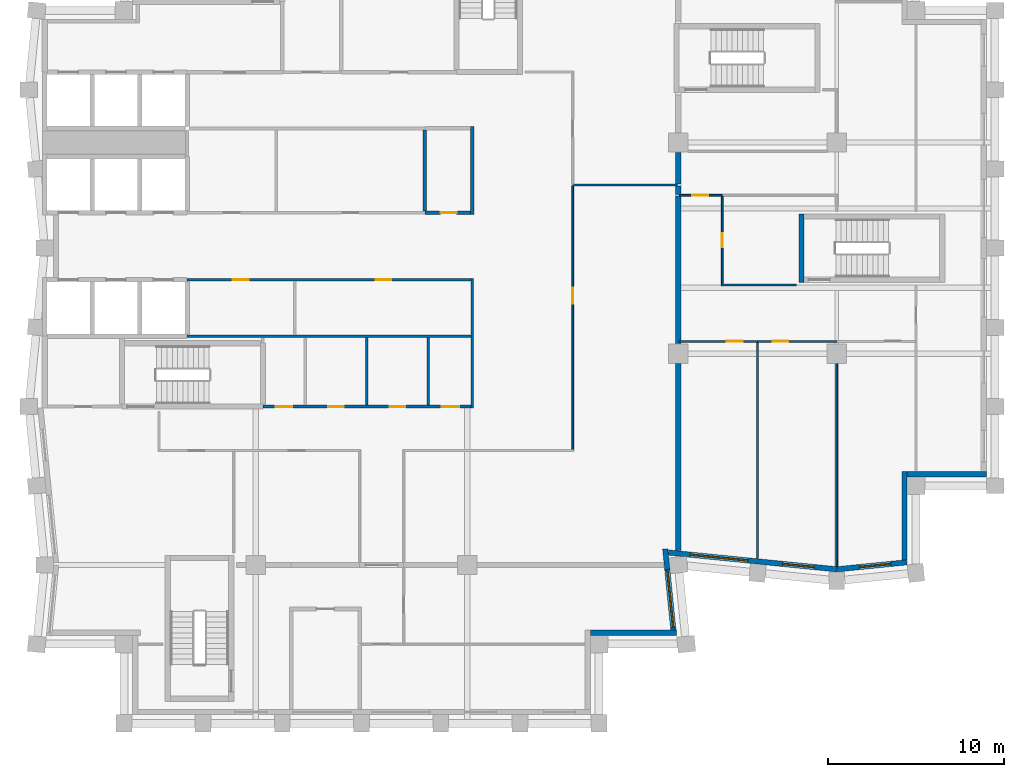
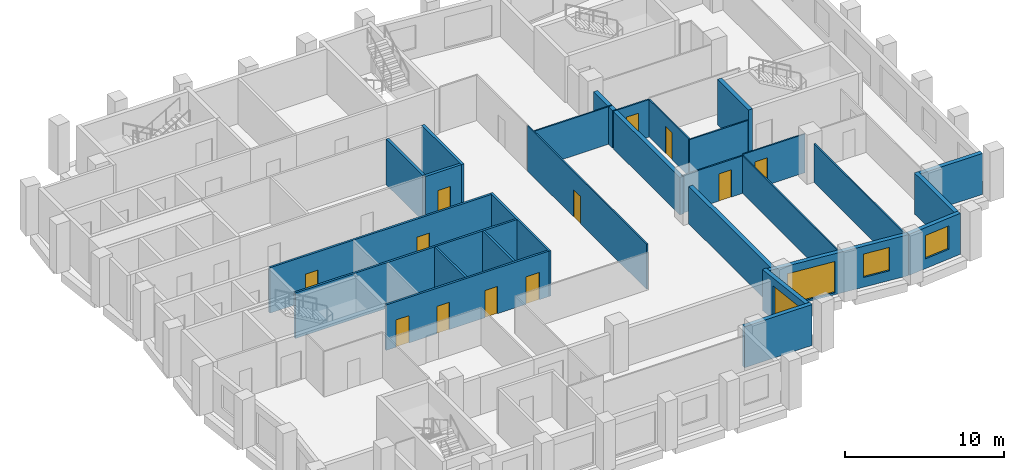
# One storey, part 4 of 8: 29 walls, 12 doors, 4 windows, 16 openings.
"""IFC4 building model written with IfcOpenShell, lengths in metres."""

from ifc_helpers import new_model, si_unit, direction, frame, frame_2d, origin, place, context, subcontext, project, spatial, rectangle, extrude, material, layer, layer_set, type_object, element, fill, save


model = new_model("IFC4")

# Units and contexts
model_context = context("Model", 3, precision=1e-05, world=origin(), true_north=direction((0.0, 1.0)))
body_context = subcontext(model_context, "Body", "Model", "MODEL_VIEW")
ifc_project = project(units=[si_unit("LENGTHUNIT", "METRE"), si_unit("AREAUNIT", "SQUARE_METRE"), si_unit("VOLUMEUNIT", "CUBIC_METRE"), si_unit("PLANEANGLEUNIT", "RADIAN"), si_unit("MASSUNIT", "GRAM", prefix="KILO")], contexts=[model_context])

# Site, building, storey
site_placement = place(None, origin())
site = spatial("IfcSite", under=ifc_project, at=site_placement, CompositionType="ELEMENT")
building_placement = place(site_placement, origin())
building = spatial("IfcBuilding", under=site, at=building_placement, Name="Brondeck Convention Tower", CompositionType="ELEMENT")
storey_placement = place(building_placement, frame((0.0, 0.0, 229.199951171875)))
storey = spatial("IfcBuildingStorey", under=building, at=storey_placement, Name="L56", CompositionType="ELEMENT", Elevation=229.199951171875)

# Walls
ifc_material_1 = material(Name="Concrete compartment wall C30/37", Category="concrete")
ifc_layer_1 = layer(ifc_material_1, 0.300048828125)
ifc_layer_set_1 = layer_set([ifc_layer_1], Name="Compartment wall 300")
wall_type_1 = type_object("IfcWallType", Name="Compartment wall 300", PredefinedType="PARTITIONING", material=ifc_layer_set_1)
wall_1_placement = place(storey_placement, frame((36.0, 27.823974609375, 0.0), z_axis=(0.0, 0.0, 1.0), x_axis=(0.0, 1.0, 0.0)))
element("IfcWall", 1, at=wall_1_placement, inside=storey, type_object=wall_type_1, Name="FLR-L56-W021", PredefinedType="PARTITIONING", context=body_context, shape_type="SweptSolid", body=[
    extrude(rectangle(XDim=10.62109375, YDim=0.300048828125, at=frame_2d((5.310546875, 0.0))), origin(), (0.0, 0.0, 1.0), 2.880126953125),
])
wall_2_placement = place(storey_placement, frame((36.0, 39.570068359375, 0.0), z_axis=(0.0, 0.0, 1.0), x_axis=(0.0, 1.0, 0.0)))
element("IfcWall", 2, at=wall_2_placement, inside=storey, type_object=wall_type_1, Name="FLR-L56-W035", PredefinedType="PARTITIONING", context=body_context, shape_type="SweptSolid", body=[
    extrude(rectangle(XDim=8.3798828125, YDim=0.300048828125, at=frame_2d((4.18994140625, 0.0))), origin(), (0.0, 0.0, 1.0), 2.880126953125),
])
wall_3_placement = place(storey_placement, frame((36.0, 48.050048828125, 0.0), z_axis=(0.0, 0.0, 1.0), x_axis=(0.0, 1.0, 0.0)))
element("IfcWall", 3, at=wall_3_placement, inside=storey, type_object=wall_type_1, Name="FLR-L56-W043", PredefinedType="PARTITIONING", context=body_context, shape_type="SweptSolid", body=[
    extrude(rectangle(XDim=0.488037109375, YDim=0.300048828125, at=frame_2d((0.244140625, 0.0))), origin(), (0.0, 0.0, 1.0), 2.880126953125),
])
wall_4_placement = place(storey_placement, frame((36.0, 48.637939453125, 0.0), z_axis=(0.0, 0.0, 1.0), x_axis=(0.0, 1.0, 0.0)))
element("IfcWall", 4, at=wall_4_placement, inside=storey, type_object=wall_type_1, Name="FLR-L56-W046", PredefinedType="PARTITIONING", context=body_context, shape_type="SweptSolid", body=[
    extrude(rectangle(XDim=1.80712890625, YDim=0.300048828125, at=frame_2d((0.903564453125, 0.0))), origin(), (0.0, 0.0, 1.0), 2.880126953125),
])

# Wall, openings, doors
ifc_material_2 = material(Name="Concrete C50/60", Category="concrete")
ifc_layer_2 = layer(ifc_material_2, 0.14990234375)
ifc_layer_set_2 = layer_set([ifc_layer_2], Name="Core beam-seat wall 150 Concrete C50/60")
wall_type_2 = type_object("IfcWallType", Name="Core beam-seat wall 150 Concrete C50/60", PredefinedType="SHEAR", material=ifc_layer_set_2)
wall_5_placement = place(storey_placement, frame((12.39990234375, 36.0, 0.0), z_axis=(0.0, 0.0, 1.0), x_axis=(1.0, 0.0, 0.0)))
wall_5 = element("IfcWall", 5, at=wall_5_placement, inside=storey, type_object=wall_type_2, Name="L56 core wall", PredefinedType="SHEAR", context=body_context, shape_type="SweptSolid", body=[
    extrude(rectangle(XDim=11.8251953125, YDim=0.14990234375, at=frame_2d((5.91259765625, 0.0))), origin(), (0.0, 0.0, 1.0), 3.5),
])
opening_1_placement = place(wall_5_placement, frame((0.72509765625, 0.0, 0.0)))
opening_1 = element("IfcOpeningElement", 6, at=opening_1_placement, cuts=wall_5, Name="Opening C30-03", PredefinedType="OPENING", context=body_context, shape_type="SweptSolid", body=[
    extrude(rectangle(XDim=0.949951171875, YDim=2.10009765625, at=frame_2d((0.47509765625, 1.050048828125))), frame((0.0, 0.0849609375, 0.0), z_axis=(0.0, -1.0, 0.0), x_axis=(1.0, 0.0, 0.0)), (0.0, 0.0, 1.0), 0.169921875),
])
opening_2_placement = place(wall_5_placement, frame((3.699951171875, 0.0, 0.0)))
opening_2 = element("IfcOpeningElement", 7, at=opening_2_placement, cuts=wall_5, Name="Opening C30-04", PredefinedType="OPENING", context=body_context, shape_type="SweptSolid", body=[
    extrude(rectangle(XDim=0.89990234375, YDim=2.10009765625, at=frame_2d((0.449951171875, 1.050048828125))), frame((0.0, 0.0849609375, 0.0), z_axis=(0.0, -1.0, 0.0), x_axis=(1.0, 0.0, 0.0)), (0.0, 0.0, 1.0), 0.169921875),
])
opening_3_placement = place(wall_5_placement, frame((7.199951171875, 0.0, 0.0)))
opening_3 = element("IfcOpeningElement", 8, at=opening_3_placement, cuts=wall_5, Name="Opening C30-05", PredefinedType="OPENING", context=body_context, shape_type="SweptSolid", body=[
    extrude(rectangle(XDim=0.89990234375, YDim=2.10009765625, at=frame_2d((0.449951171875, 1.050048828125))), frame((0.0, 0.0849609375, 0.0), z_axis=(0.0, -1.0, 0.0), x_axis=(1.0, 0.0, 0.0)), (0.0, 0.0, 1.0), 0.169921875),
])
opening_4_placement = place(wall_5_placement, frame((10.14990234375, 0.0, 0.0)))
opening_4 = element("IfcOpeningElement", 9, at=opening_4_placement, cuts=wall_5, Name="Opening C30-06", PredefinedType="OPENING", context=body_context, shape_type="SweptSolid", body=[
    extrude(rectangle(XDim=1.0, YDim=2.10009765625, at=frame_2d((0.5, 1.050048828125))), frame((0.0, 0.0849609375, 0.0), z_axis=(0.0, -1.0, 0.0), x_axis=(1.0, 0.0, 0.0)), (0.0, 0.0, 1.0), 0.169921875),
])
ifc_material_3 = material(Name="Steel fire door", Category="steel")
door_type_1 = type_object("IfcDoorType", Name="Room door 1000x2100 EI 60", OperationType="NOTDEFINED", PredefinedType="DOOR", material=ifc_material_3)
door_1_placement = place(opening_4_placement, origin())
door_1 = element("IfcDoor", 10, at=door_1_placement, inside=storey, type_object=door_type_1, Name="L56 Room door FR-4", OperationType="SINGLE_SWING_LEFT", OverallHeight=2.10009765625, OverallWidth=1.0, PredefinedType="DOOR", context=body_context, shape_type="SweptSolid", body=[
    extrude(rectangle(XDim=1.0, YDim=2.10009765625, at=frame_2d((0.5, 1.050048828125))), frame((0.0, 0.02490234375, 0.0), z_axis=(0.0, -1.0, 0.0), x_axis=(1.0, 0.0, 0.0)), (0.0, 0.0, 1.0), 0.050048828125),
])
fill(opening_4, door_1)
door_type_2 = type_object("IfcDoorType", Name="Room door 900x2100 EI 60", OperationType="NOTDEFINED", PredefinedType="DOOR", material=ifc_material_3)
door_2_placement = place(opening_2_placement, origin())
door_2 = element("IfcDoor", 11, at=door_2_placement, inside=storey, type_object=door_type_2, Name="L56 Room door FR-2", OperationType="SINGLE_SWING_LEFT", OverallHeight=2.10009765625, OverallWidth=0.89990234375, PredefinedType="DOOR", context=body_context, shape_type="SweptSolid", body=[
    extrude(rectangle(XDim=0.89990234375, YDim=2.10009765625, at=frame_2d((0.449951171875, 1.050048828125))), frame((0.0, 0.02490234375, 0.0), z_axis=(0.0, -1.0, 0.0), x_axis=(1.0, 0.0, 0.0)), (0.0, 0.0, 1.0), 0.050048828125),
])
fill(opening_2, door_2)
door_3_placement = place(opening_3_placement, origin())
door_3 = element("IfcDoor", 12, at=door_3_placement, inside=storey, type_object=door_type_2, Name="L56 Room door FR-3", OperationType="SINGLE_SWING_RIGHT", OverallHeight=2.10009765625, OverallWidth=0.89990234375, PredefinedType="DOOR", context=body_context, shape_type="SweptSolid", body=[
    extrude(rectangle(XDim=0.89990234375, YDim=2.10009765625, at=frame_2d((0.449951171875, 1.050048828125))), frame((0.0, 0.02490234375, 0.0), z_axis=(0.0, -1.0, 0.0), x_axis=(1.0, 0.0, 0.0)), (0.0, 0.0, 1.0), 0.050048828125),
])
fill(opening_3, door_3)
door_type_3 = type_object("IfcDoorType", Name="Room door 950x2100 EI 60", OperationType="NOTDEFINED", PredefinedType="DOOR", material=ifc_material_3)
door_4_placement = place(opening_1_placement, origin())
door_4 = element("IfcDoor", 13, at=door_4_placement, inside=storey, type_object=door_type_3, Name="L56 Room door FR-1", OperationType="SINGLE_SWING_RIGHT", OverallHeight=2.10009765625, OverallWidth=0.949951171875, PredefinedType="DOOR", context=body_context, shape_type="SweptSolid", body=[
    extrude(rectangle(XDim=0.949951171875, YDim=2.10009765625, at=frame_2d((0.47509765625, 1.050048828125))), frame((0.0, 0.02490234375, 0.0), z_axis=(0.0, -1.0, 0.0), x_axis=(1.0, 0.0, 0.0)), (0.0, 0.0, 1.0), 0.050048828125),
])
fill(opening_1, door_4)

# Walls
ifc_layer_3 = layer(ifc_material_2, 0.199951171875)
ifc_layer_set_3 = layer_set([ifc_layer_3], Name="Core beam-seat wall 200 Concrete C50/60")
wall_type_3 = type_object("IfcWallType", Name="Core beam-seat wall 200 Concrete C50/60", PredefinedType="SHEAR", material=ifc_layer_set_3)
wall_6_placement = place(storey_placement, frame((24.300048828125, 46.89990234375, 0.0), z_axis=(0.0, 0.0, 1.0), x_axis=(0.0, 1.0, 0.0)))
element("IfcWall", 14, at=wall_6_placement, inside=storey, type_object=wall_type_3, Name="L56 core wall", PredefinedType="SHEAR", context=body_context, shape_type="SweptSolid", body=[
    extrude(rectangle(XDim=5.0, YDim=0.199951171875, at=frame_2d((2.5, 0.0))), origin(), (0.0, 0.0, 1.0), 3.5),
])
ifc_material_4 = material(Name="Fire-rated gypsum board partition")
ifc_layer_4 = layer(ifc_material_4, 0.14990234375)
ifc_layer_set_4 = layer_set([ifc_layer_4], Name="Core partition 150 EI 60")
wall_type_4 = type_object("IfcWallType", Name="Core partition 150 EI 60", PredefinedType="PARTITIONING", material=ifc_layer_set_4)
wall_7_placement = place(storey_placement, frame((8.10009765625, 40.0, 0.0), z_axis=(0.0, 0.0, 1.0), x_axis=(1.0, 0.0, 0.0)))
element("IfcWall", 15, at=wall_7_placement, inside=storey, type_object=wall_type_4, Name="L56 core wall", PredefinedType="PARTITIONING", context=body_context, shape_type="SweptSolid", body=[
    extrude(rectangle(XDim=16.125, YDim=0.14990234375, at=frame_2d((8.0625, 0.0))), origin(), (0.0, 0.0, 1.0), 3.5),
])

# Wall, openings, doors
wall_8_placement = place(storey_placement, frame((8.10009765625, 43.199951171875, 0.0), z_axis=(0.0, 0.0, 1.0), x_axis=(1.0, 0.0, 0.0)))
wall_8 = element("IfcWall", 16, at=wall_8_placement, inside=storey, type_object=wall_type_4, Name="L56 core wall", PredefinedType="PARTITIONING", context=body_context, shape_type="SweptSolid", body=[
    extrude(rectangle(XDim=16.125, YDim=0.14990234375, at=frame_2d((8.0625, 0.0))), origin(), (0.0, 0.0, 1.0), 3.5),
])
opening_5_placement = place(wall_8_placement, frame((2.60009765625, 0.0, 0.0)))
opening_5 = element("IfcOpeningElement", 17, at=opening_5_placement, cuts=wall_8, Name="Opening C30-10", PredefinedType="OPENING", context=body_context, shape_type="SweptSolid", body=[
    extrude(rectangle(XDim=0.89990234375, YDim=2.10009765625, at=frame_2d((0.449951171875, 1.050048828125))), frame((0.0, 0.0849609375, 0.0), z_axis=(0.0, -1.0, 0.0), x_axis=(1.0, 0.0, 0.0)), (0.0, 0.0, 1.0), 0.169921875),
])
opening_6_placement = place(wall_8_placement, frame((10.699951171875, 0.0, 0.0)))
opening_6 = element("IfcOpeningElement", 18, at=opening_6_placement, cuts=wall_8, Name="Opening C30-11", PredefinedType="OPENING", context=body_context, shape_type="SweptSolid", body=[
    extrude(rectangle(XDim=0.89990234375, YDim=2.10009765625, at=frame_2d((0.449951171875, 1.050048828125))), frame((0.0, 0.0849609375, 0.0), z_axis=(0.0, -1.0, 0.0), x_axis=(1.0, 0.0, 0.0)), (0.0, 0.0, 1.0), 0.169921875),
])
door_5_placement = place(opening_5_placement, origin())
door_5 = element("IfcDoor", 19, at=door_5_placement, inside=storey, type_object=door_type_2, Name="L56 Room door FZ-S-8.1-1", OperationType="SINGLE_SWING_RIGHT", OverallHeight=2.10009765625, OverallWidth=0.89990234375, PredefinedType="DOOR", context=body_context, shape_type="SweptSolid", body=[
    extrude(rectangle(XDim=0.89990234375, YDim=2.10009765625, at=frame_2d((0.449951171875, 1.050048828125))), frame((0.0, 0.02490234375, 0.0), z_axis=(0.0, -1.0, 0.0), x_axis=(1.0, 0.0, 0.0)), (0.0, 0.0, 1.0), 0.050048828125),
])
fill(opening_5, door_5)
door_6_placement = place(opening_6_placement, origin())
door_6 = element("IfcDoor", 20, at=door_6_placement, inside=storey, type_object=door_type_2, Name="L56 Room door FZ-S-8.1-2", OperationType="SINGLE_SWING_LEFT", OverallHeight=2.10009765625, OverallWidth=0.89990234375, PredefinedType="DOOR", context=body_context, shape_type="SweptSolid", body=[
    extrude(rectangle(XDim=0.89990234375, YDim=2.10009765625, at=frame_2d((0.449951171875, 1.050048828125))), frame((0.0, 0.02490234375, 0.0), z_axis=(0.0, -1.0, 0.0), x_axis=(1.0, 0.0, 0.0)), (0.0, 0.0, 1.0), 0.050048828125),
])
fill(opening_6, door_6)

# Walls
for number, where, z_axis, x_axis, name in (
    (21, (18.300048828125, 36.074951171875, 0.0), (0.0, 0.0, 1.0), (0.0, 1.0, 0.0), "L56 core wall"),
    (22, (21.800048828125, 36.074951171875, 0.0), (0.0, 0.0, 1.0), (0.0, 1.0, 0.0), "L56 core wall"),
):
    element("IfcWall", number, at=place(storey_placement, frame(where, z_axis=z_axis, x_axis=x_axis)), inside=storey, type_object=wall_type_4, Name=name, PredefinedType="PARTITIONING", context=body_context, shape_type="SweptSolid", body=[
        extrude(rectangle(XDim=3.85009765625, YDim=0.14990234375, at=frame_2d((1.925048828125, 0.0))), origin(), (0.0, 0.0, 1.0), 3.5),
    ])
wall_9_placement = place(storey_placement, frame((24.300048828125, 35.925048828125, 0.0), z_axis=(0.0, 0.0, 1.0), x_axis=(0.0, 1.0, 0.0)))
element("IfcWall", 23, at=wall_9_placement, inside=storey, type_object=wall_type_4, Name="L56 core wall", PredefinedType="PARTITIONING", context=body_context, shape_type="SweptSolid", body=[
    extrude(rectangle(XDim=7.349853515625, YDim=0.14990234375, at=frame_2d((3.6748046875, 0.0))), origin(), (0.0, 0.0, 1.0), 3.5),
])
ifc_material_5 = material(Name="Precast concrete C50/60 bronze finish", Category="concrete")
ifc_layer_5 = layer(ifc_material_5, 0.070068359375, Name="Bronze precast facing")
ifc_material_6 = material(Name="Mineral wool")
ifc_layer_6 = layer(ifc_material_6, 0.159912109375, Name="Insulation")
ifc_material_7 = material(Name="Concrete C35/45", Category="concrete")
ifc_layer_7 = layer(ifc_material_7, 0.070068359375, Name="Backing")
ifc_layer_set_5 = layer_set([ifc_layer_5, ifc_layer_6, ifc_layer_7], Name="External infill wall, precast concrete C50/60 bronze facing")
wall_type_5 = type_object("IfcWallType", Name="External infill wall, precast concrete C50/60 bronze facing", PredefinedType="SOLIDWALL", material=ifc_layer_set_5)
wall_10_placement = place(storey_placement, frame((35.8974609375, 23.14990234375, 0.0), z_axis=(0.0, 0.0, 1.0), x_axis=(-1.0, 0.0, 0.0)))
element("IfcWall", 24, at=wall_10_placement, inside=storey, type_object=wall_type_5, Name="ENV-EW-L56-P2-NC-SEB18-02", PredefinedType="SOLIDWALL", context=body_context, shape_type="SweptSolid", body=[
    extrude(rectangle(XDim=4.8974609375, YDim=0.300048828125, at=frame_2d((2.44873046875, 0.0))), origin(), (0.0, 0.0, 1.0), 3.150146484375),
])

# Wall, opening, window
wall_11_placement = place(storey_placement, frame((35.255859375, 27.908203125, 0.0), z_axis=(0.0, 0.0, 1.0), x_axis=(0.099535070904, -0.995034054523, 0.0)))
wall_11 = element("IfcWall", 25, at=wall_11_placement, inside=storey, type_object=wall_type_5, Name="ENV-EW-L56-P2-B-E-00", PredefinedType="SOLIDWALL", context=body_context, shape_type="SweptSolid", body=[
    extrude(rectangle(XDim=4.6259765625, YDim=0.300048828125, at=frame_2d((2.31298828125, 0.0))), origin(), (0.0, 0.0, 1.0), 3.150146484375),
])
opening_7_placement = place(wall_11_placement, frame((1.176025390625, 0.0, 0.14990234375)))
opening_7 = element("IfcOpeningElement", 26, at=opening_7_placement, cuts=wall_11, Name="Opening W9", PredefinedType="OPENING", context=body_context, shape_type="SweptSolid", body=[
    extrude(rectangle(XDim=3.300048828125, YDim=2.39990234375, at=frame_2d((1.64990234375, 1.199951171875))), frame((0.0, 0.159912109375, 0.0), z_axis=(0.0, -1.0, 0.0), x_axis=(1.0, 0.0, 0.0)), (0.0, 0.0, 1.0), 0.320068359375),
])
ifc_material_8 = material(Name="Bronze tinted double glazing", Category="glass")
window_type_1 = type_object("IfcWindowType", Name="Glazed flute window, bronze tinted", PartitioningType="SINGLE_PANEL", PredefinedType="WINDOW", material=ifc_material_8)
window_1_placement = place(opening_7_placement, origin())
window_1 = element("IfcWindow", 27, at=window_1_placement, inside=storey, type_object=window_type_1, Name="ENV-WN-L56-P2-B-E-00", OverallHeight=2.39990234375, OverallWidth=3.300048828125, PartitioningType="SINGLE_PANEL", PredefinedType="WINDOW", context=body_context, shape_type="SweptSolid", body=[
    extrude(rectangle(XDim=3.300048828125, YDim=2.39990234375, at=frame_2d((1.64990234375, 1.199951171875))), frame((0.0, 0.030029296875, 0.0), z_axis=(0.0, -1.0, 0.0), x_axis=(1.0, 0.0, 0.0)), (0.0, 0.0, 1.0), 0.06005859375),
])
fill(opening_7, window_1)

# Wall, openings, windows
wall_12_placement = place(storey_placement, frame((45.014892578125, 26.751708984375, 0.0), z_axis=(0.0, 0.0, 1.0), x_axis=(-0.9950379439, 0.099496181828, 0.0)))
wall_12 = element("IfcWall", 28, at=wall_12_placement, inside=storey, type_object=wall_type_5, Name="ENV-EW-L56-P2-A-S-00", PredefinedType="SOLIDWALL", context=body_context, shape_type="SweptSolid", body=[
    extrude(rectangle(XDim=9.621337890625, YDim=0.300048828125, at=frame_2d((4.810546875, 0.0))), origin(), (0.0, 0.0, 1.0), 3.150146484375),
])
opening_8_placement = place(wall_12_placement, frame((1.311279296875, 0.0, 0.75)))
opening_8 = element("IfcOpeningElement", 29, at=opening_8_placement, cuts=wall_12, Name="Opening W10", PredefinedType="OPENING", context=body_context, shape_type="SweptSolid", body=[
    extrude(rectangle(XDim=1.800048828125, YDim=1.800048828125, at=frame_2d((0.89990234375, 0.89990234375))), frame((0.0, 0.159912109375, 0.0), z_axis=(0.0, -1.0, 0.0), x_axis=(1.0, 0.0, 0.0)), (0.0, 0.0, 1.0), 0.320068359375),
])
opening_9_placement = place(wall_12_placement, frame((5.08349609375, 0.0, 0.14990234375)))
opening_9 = element("IfcOpeningElement", 30, at=opening_9_placement, cuts=wall_12, Name="Opening W9", PredefinedType="OPENING", context=body_context, shape_type="SweptSolid", body=[
    extrude(rectangle(XDim=3.300048828125, YDim=2.39990234375, at=frame_2d((1.64990234375, 1.199951171875))), frame((0.0, 0.159912109375, 0.0), z_axis=(0.0, -1.0, 0.0), x_axis=(1.0, 0.0, 0.0)), (0.0, 0.0, 1.0), 0.320068359375),
])
window_2_placement = place(opening_9_placement, origin())
window_2 = element("IfcWindow", 31, at=window_2_placement, inside=storey, type_object=window_type_1, Name="ENV-WN-L56-P2-A-S-00", OverallHeight=2.39990234375, OverallWidth=3.300048828125, PartitioningType="SINGLE_PANEL", PredefinedType="WINDOW", context=body_context, shape_type="SweptSolid", body=[
    extrude(rectangle(XDim=3.300048828125, YDim=2.39990234375, at=frame_2d((1.64990234375, 1.199951171875))), frame((0.0, 0.030029296875, 0.0), z_axis=(0.0, -1.0, 0.0), x_axis=(1.0, 0.0, 0.0)), (0.0, 0.0, 1.0), 0.06005859375),
])
fill(opening_9, window_2)
window_type_2 = type_object("IfcWindowType", Name="Punched window, bronze tinted", PartitioningType="SINGLE_PANEL", PredefinedType="WINDOW", material=ifc_material_8)
window_3_placement = place(opening_8_placement, origin())
window_3 = element("IfcWindow", 32, at=window_3_placement, inside=storey, type_object=window_type_2, Name="ENV-WN-L56-P2-A-S-01", OverallHeight=1.800048828125, OverallWidth=1.800048828125, PartitioningType="SINGLE_PANEL", PredefinedType="WINDOW", context=body_context, shape_type="SweptSolid", body=[
    extrude(rectangle(XDim=1.800048828125, YDim=1.800048828125, at=frame_2d((0.89990234375, 0.89990234375))), frame((0.0, 0.030029296875, 0.0), z_axis=(0.0, -1.0, 0.0), x_axis=(1.0, 0.0, 0.0)), (0.0, 0.0, 1.0), 0.06005859375),
])
fill(opening_8, window_3)

# Wall, opening, window
wall_13_placement = place(storey_placement, frame((48.985107421875, 27.151611328125, 0.0), z_axis=(0.0, 0.0, 1.0), x_axis=(-0.995037798293, -0.099497638, 0.0)))
wall_13 = element("IfcWall", 33, at=wall_13_placement, inside=storey, type_object=wall_type_5, Name="ENV-EW-L56-P2-A-S-02", PredefinedType="SOLIDWALL", context=body_context, shape_type="SweptSolid", body=[
    extrude(rectangle(XDim=3.97509765625, YDim=0.300048828125, at=frame_2d((1.987548828125, 0.0))), origin(), (0.0, 0.0, 1.0), 3.150146484375),
])
opening_10_placement = place(wall_13_placement, frame((0.90869140625, 0.0, 0.75)))
opening_10 = element("IfcOpeningElement", 34, at=opening_10_placement, cuts=wall_13, Name="Opening W10", PredefinedType="OPENING", context=body_context, shape_type="SweptSolid", body=[
    extrude(rectangle(XDim=1.800048828125, YDim=1.800048828125, at=frame_2d((0.89990234375, 0.89990234375))), frame((0.0, 0.159912109375, 0.0), z_axis=(0.0, -1.0, 0.0), x_axis=(1.0, 0.0, 0.0)), (0.0, 0.0, 1.0), 0.320068359375),
])
window_4_placement = place(opening_10_placement, origin())
window_4 = element("IfcWindow", 35, at=window_4_placement, inside=storey, type_object=window_type_2, Name="ENV-WN-L56-P2-A-S-02", OverallHeight=1.800048828125, OverallWidth=1.800048828125, PartitioningType="SINGLE_PANEL", PredefinedType="WINDOW", context=body_context, shape_type="SweptSolid", body=[
    extrude(rectangle(XDim=1.800048828125, YDim=1.800048828125, at=frame_2d((0.89990234375, 0.89990234375))), frame((0.0, 0.030029296875, 0.0), z_axis=(0.0, -1.0, 0.0), x_axis=(1.0, 0.0, 0.0)), (0.0, 0.0, 1.0), 0.06005859375),
])
fill(opening_10, window_4)

# Walls
wall_14_placement = place(storey_placement, frame((48.85009765625, 32.300048828125, 0.0), z_axis=(0.0, 0.0, 1.0), x_axis=(0.0, -1.0, 0.0)))
element("IfcWall", 36, at=wall_14_placement, inside=storey, type_object=wall_type_5, Name="ENV-EW-L56-P2-NC-SEA54-01", PredefinedType="SOLIDWALL", context=body_context, shape_type="SweptSolid", body=[
    extrude(rectangle(XDim=5.009765625, YDim=0.300048828125, at=frame_2d((2.5048828125, 0.0))), origin(), (0.0, 0.0, 1.0), 3.150146484375),
])
wall_15_placement = place(storey_placement, frame((53.5, 32.14990234375, 0.0), z_axis=(0.0, 0.0, 1.0), x_axis=(-1.0, 0.0, 0.0)))
element("IfcWall", 37, at=wall_15_placement, inside=storey, type_object=wall_type_5, Name="ENV-EW-L56-P2-NC-SEA54-02", PredefinedType="SOLIDWALL", context=body_context, shape_type="SweptSolid", body=[
    extrude(rectangle(XDim=4.501953125, YDim=0.300048828125, at=frame_2d((2.2509765625, 0.0))), origin(), (0.0, 0.0, 1.0), 3.150146484375),
])

# Wall, opening, door
ifc_layer_8 = layer(ifc_material_4, 0.199951171875)
ifc_layer_set_6 = layer_set([ifc_layer_8], Name="Riser wall 200 EI 120")
wall_type_6 = type_object("IfcWallType", Name="Riser wall 200 EI 120", PredefinedType="PARTITIONING", material=ifc_layer_set_6)
wall_16_placement = place(storey_placement, frame((21.60009765625, 47.0, 0.0), z_axis=(0.0, 0.0, 1.0), x_axis=(1.0, 0.0, 0.0)))
wall_16 = element("IfcWall", 38, at=wall_16_placement, inside=storey, type_object=wall_type_6, Name="L56 core wall", PredefinedType="PARTITIONING", context=body_context, shape_type="SweptSolid", body=[
    extrude(rectangle(XDim=2.599853515625, YDim=0.199951171875, at=frame_2d((1.2998046875, 0.0))), origin(), (0.0, 0.0, 1.0), 3.5),
])
opening_11_placement = place(wall_16_placement, frame((0.89990234375, 0.0, 0.0)))
opening_11 = element("IfcOpeningElement", 39, at=opening_11_placement, cuts=wall_16, Name="Opening C30-02", PredefinedType="OPENING", context=body_context, shape_type="SweptSolid", body=[
    extrude(rectangle(XDim=0.89990234375, YDim=2.10009765625, at=frame_2d((0.449951171875, 1.050048828125))), frame((0.0, 0.10986328125, 0.0), z_axis=(0.0, -1.0, 0.0), x_axis=(1.0, 0.0, 0.0)), (0.0, 0.0, 1.0), 0.219970703125),
])
door_type_4 = type_object("IfcDoorType", Name="Riser door 900x2100 EI 120", OperationType="NOTDEFINED", PredefinedType="DOOR", material=ifc_material_3)
door_7_placement = place(opening_11_placement, origin())
door_7 = element("IfcDoor", 40, at=door_7_placement, inside=storey, type_object=door_type_4, Name="L56 Riser door EN-1", OperationType="SINGLE_SWING_LEFT", OverallHeight=2.10009765625, OverallWidth=0.89990234375, PredefinedType="DOOR", context=body_context, shape_type="SweptSolid", body=[
    extrude(rectangle(XDim=0.89990234375, YDim=2.10009765625, at=frame_2d((0.449951171875, 1.050048828125))), frame((0.0, 0.02490234375, 0.0), z_axis=(0.0, -1.0, 0.0), x_axis=(1.0, 0.0, 0.0)), (0.0, 0.0, 1.0), 0.050048828125),
])
fill(opening_11, door_7)

# Walls
wall_17_placement = place(storey_placement, frame((21.60009765625, 47.10009765625, 0.0), z_axis=(0.0, 0.0, 1.0), x_axis=(0.0, 1.0, 0.0)))
element("IfcWall", 41, at=wall_17_placement, inside=storey, type_object=wall_type_6, Name="L56 core wall", PredefinedType="PARTITIONING", context=body_context, shape_type="SweptSolid", body=[
    extrude(rectangle(XDim=4.599853515625, YDim=0.199951171875, at=frame_2d((2.2998046875, 0.0))), origin(), (0.0, 0.0, 1.0), 3.5),
])
ifc_material_9 = material(Name="Gypsum board partition on steel studs", Category="steel")
ifc_layer_9 = layer(ifc_material_9, 0.10009765625)
ifc_layer_set_7 = layer_set([ifc_layer_9], Name="Room partition 100")
wall_type_7 = type_object("IfcWallType", Name="Room partition 100", PredefinedType="PARTITIONING", material=ifc_layer_set_7)
wall_18_placement = place(storey_placement, frame((45.0, 38.445068359375, 0.0), z_axis=(0.0, 0.0, 1.0), x_axis=(0.0, -1.0, 0.0)))
element("IfcWall", 42, at=wall_18_placement, inside=storey, type_object=wall_type_7, Name="FLR-L56-W030", PredefinedType="PARTITIONING", context=body_context, shape_type="SweptSolid", body=[
    extrude(rectangle(XDim=11.52099609375, YDim=0.10009765625, at=frame_2d((5.760498046875, 0.0))), origin(), (0.0, 0.0, 1.0), 2.97998046875),
])
wall_19_placement = place(storey_placement, frame((40.5, 39.64990234375, 0.0), z_axis=(0.0, 0.0, 1.0), x_axis=(0.0, -1.0, 0.0)))
element("IfcWall", 43, at=wall_19_placement, inside=storey, type_object=wall_type_7, Name="FLR-L56-W031", PredefinedType="PARTITIONING", context=body_context, shape_type="SweptSolid", body=[
    extrude(rectangle(XDim=12.27587890625, YDim=0.10009765625, at=frame_2d((6.137939453125, 0.0))), origin(), (0.0, 0.0, 1.0), 2.880126953125),
])

# Wall, opening, door
wall_20_placement = place(storey_placement, frame((40.5, 39.699951171875, 0.0), z_axis=(0.0, 0.0, 1.0), x_axis=(-1.0, 0.0, 0.0)))
wall_20 = element("IfcWall", 44, at=wall_20_placement, inside=storey, type_object=wall_type_7, Name="FLR-L56-W032", PredefinedType="PARTITIONING", context=body_context, shape_type="SweptSolid", body=[
    extrude(rectangle(XDim=4.449951171875, YDim=0.10009765625, at=frame_2d((2.22509765625, 0.0))), origin(), (0.0, 0.0, 1.0), 2.880126953125),
])
opening_12_placement = place(wall_20_placement, frame((0.8544921875, 0.0, 0.0)))
opening_12 = element("IfcOpeningElement", 45, at=opening_12_placement, cuts=wall_20, Name="Opening OF-M-004", PredefinedType="OPENING", context=body_context, shape_type="SweptSolid", body=[
    extrude(rectangle(XDim=0.89990234375, YDim=2.10009765625, at=frame_2d((0.449951171875, 1.050048828125))), frame((0.0, 0.06005859375, 0.0), z_axis=(0.0, -1.0, 0.0), x_axis=(1.0, 0.0, 0.0)), (0.0, 0.0, 1.0), 0.1201171875),
])
ifc_material_10 = material(Name="Solid timber door leaf", Category="wood")
door_type_5 = type_object("IfcDoorType", Name="Single door 900", OperationType="NOTDEFINED", PredefinedType="DOOR", material=ifc_material_10)
door_8_placement = place(opening_12_placement, origin())
door_8 = element("IfcDoor", 46, at=door_8_placement, inside=storey, type_object=door_type_5, Name="Door OF-M-004", OperationType="SINGLE_SWING_LEFT", OverallHeight=2.10009765625, OverallWidth=0.89990234375, PredefinedType="DOOR", context=body_context, shape_type="SweptSolid", body=[
    extrude(rectangle(XDim=0.89990234375, YDim=2.10009765625, at=frame_2d((0.449951171875, 1.050048828125))), frame((0.0, 0.02490234375, 0.0), z_axis=(0.0, -1.0, 0.0), x_axis=(1.0, 0.0, 0.0)), (0.0, 0.0, 1.0), 0.050048828125),
])
fill(opening_12, door_8)

wall_21_placement = place(storey_placement, frame((45.0, 39.699951171875, 0.0), z_axis=(0.0, 0.0, 1.0), x_axis=(-1.0, 0.0, 0.0)))
wall_21 = element("IfcWall", 47, at=wall_21_placement, inside=storey, type_object=wall_type_7, Name="FLR-L56-W033", PredefinedType="PARTITIONING", context=body_context, shape_type="SweptSolid", body=[
    extrude(rectangle(XDim=4.5, YDim=0.10009765625, at=frame_2d((2.25, 0.0))), origin(), (0.0, 0.0, 1.0), 2.97998046875),
])
opening_13_placement = place(wall_21_placement, frame((2.74560546875, 0.0, 0.0)))
opening_13 = element("IfcOpeningElement", 48, at=opening_13_placement, cuts=wall_21, Name="Opening OF-M-005", PredefinedType="OPENING", context=body_context, shape_type="SweptSolid", body=[
    extrude(rectangle(XDim=0.89990234375, YDim=2.10009765625, at=frame_2d((0.449951171875, 1.050048828125))), frame((0.0, 0.06005859375, 0.0), z_axis=(0.0, -1.0, 0.0), x_axis=(1.0, 0.0, 0.0)), (0.0, 0.0, 1.0), 0.1201171875),
])
door_9_placement = place(opening_13_placement, origin())
door_9 = element("IfcDoor", 49, at=door_9_placement, inside=storey, type_object=door_type_5, Name="Door OF-M-005", OperationType="SINGLE_SWING_LEFT", OverallHeight=2.10009765625, OverallWidth=0.89990234375, PredefinedType="DOOR", context=body_context, shape_type="SweptSolid", body=[
    extrude(rectangle(XDim=0.89990234375, YDim=2.10009765625, at=frame_2d((0.449951171875, 1.050048828125))), frame((0.0, 0.02490234375, 0.0), z_axis=(0.0, -1.0, 0.0), x_axis=(1.0, 0.0, 0.0)), (0.0, 0.0, 1.0), 0.050048828125),
])
fill(opening_13, door_9)

# Wall
wall_22_placement = place(storey_placement, frame((38.449951171875, 42.89990234375, 0.0), z_axis=(0.0, 0.0, 1.0), x_axis=(1.0, 0.0, 0.0)))
element("IfcWall", 50, at=wall_22_placement, inside=storey, type_object=wall_type_7, Name="FLR-L56-W036", PredefinedType="PARTITIONING", context=body_context, shape_type="SweptSolid", body=[
    extrude(rectangle(XDim=4.25, YDim=0.10009765625, at=frame_2d((2.125, 0.0))), origin(), (0.0, 0.0, 1.0), 2.880126953125),
])

# Wall, opening, door
wall_23_placement = place(storey_placement, frame((38.5, 47.949951171875, 0.0), z_axis=(0.0, 0.0, 1.0), x_axis=(0.0, -1.0, 0.0)))
wall_23 = element("IfcWall", 51, at=wall_23_placement, inside=storey, type_object=wall_type_7, Name="FLR-L56-W039", PredefinedType="PARTITIONING", context=body_context, shape_type="SweptSolid", body=[
    extrude(rectangle(XDim=5.0, YDim=0.10009765625, at=frame_2d((2.5, 0.0))), origin(), (0.0, 0.0, 1.0), 2.880126953125),
])
opening_14_placement = place(wall_23_placement, frame((2.10009765625, 0.0, 0.0)))
opening_14 = element("IfcOpeningElement", 52, at=opening_14_placement, cuts=wall_23, Name="Opening OF-M-001", PredefinedType="OPENING", context=body_context, shape_type="SweptSolid", body=[
    extrude(rectangle(XDim=0.800048828125, YDim=2.10009765625, at=frame_2d((0.39990234375, 1.050048828125))), frame((0.0, 0.06005859375, 0.0), z_axis=(0.0, -1.0, 0.0), x_axis=(1.0, 0.0, 0.0)), (0.0, 0.0, 1.0), 0.1201171875),
])
ifc_material_11 = material(Name="Steel service door leaf", Category="steel")
door_type_6 = type_object("IfcDoorType", Name="Service door 800", OperationType="NOTDEFINED", PredefinedType="DOOR", material=ifc_material_11)
door_10_placement = place(opening_14_placement, origin())
door_10 = element("IfcDoor", 53, at=door_10_placement, inside=storey, type_object=door_type_6, Name="Door OF-M-001", OperationType="SINGLE_SWING_RIGHT", OverallHeight=2.10009765625, OverallWidth=0.800048828125, PredefinedType="DOOR", context=body_context, shape_type="SweptSolid", body=[
    extrude(rectangle(XDim=0.800048828125, YDim=2.10009765625, at=frame_2d((0.39990234375, 1.050048828125))), frame((0.0, 0.02490234375, 0.0), z_axis=(0.0, -1.0, 0.0), x_axis=(1.0, 0.0, 0.0)), (0.0, 0.0, 1.0), 0.050048828125),
])
fill(opening_14, door_10)

wall_24_placement = place(storey_placement, frame((36.050048828125, 48.0, 0.0), z_axis=(0.0, 0.0, 1.0), x_axis=(1.0, 0.0, 0.0)))
wall_24 = element("IfcWall", 54, at=wall_24_placement, inside=storey, type_object=wall_type_7, Name="FLR-L56-W041", PredefinedType="PARTITIONING", context=body_context, shape_type="SweptSolid", body=[
    extrude(rectangle(XDim=2.449951171875, YDim=0.10009765625, at=frame_2d((1.22509765625, 0.0))), origin(), (0.0, 0.0, 1.0), 2.880126953125),
])
opening_15_placement = place(wall_24_placement, frame((0.75, 0.0, 0.0)))
opening_15 = element("IfcOpeningElement", 55, at=opening_15_placement, cuts=wall_24, Name="Opening OF-M-007", PredefinedType="OPENING", context=body_context, shape_type="SweptSolid", body=[
    extrude(rectangle(XDim=0.89990234375, YDim=2.10009765625, at=frame_2d((0.449951171875, 1.050048828125))), frame((0.0, 0.06005859375, 0.0), z_axis=(0.0, -1.0, 0.0), x_axis=(1.0, 0.0, 0.0)), (0.0, 0.0, 1.0), 0.1201171875),
])
door_11_placement = place(opening_15_placement, origin())
door_11 = element("IfcDoor", 56, at=door_11_placement, inside=storey, type_object=door_type_5, Name="Door OF-M-007", OperationType="SINGLE_SWING_LEFT", OverallHeight=2.10009765625, OverallWidth=0.89990234375, PredefinedType="DOOR", context=body_context, shape_type="SweptSolid", body=[
    extrude(rectangle(XDim=0.89990234375, YDim=2.10009765625, at=frame_2d((0.449951171875, 1.050048828125))), frame((0.0, 0.02490234375, 0.0), z_axis=(0.0, -1.0, 0.0), x_axis=(1.0, 0.0, 0.0)), (0.0, 0.0, 1.0), 0.050048828125),
])
fill(opening_15, door_11)

wall_25_placement = place(storey_placement, frame((30.0, 48.5380859375, 0.0), z_axis=(0.0, 0.0, 1.0), x_axis=(0.0, -1.0, 0.0)))
wall_25 = element("IfcWall", 57, at=wall_25_placement, inside=storey, type_object=wall_type_7, Name="FLR-L56-W044", PredefinedType="PARTITIONING", context=body_context, shape_type="SweptSolid", body=[
    extrude(rectangle(XDim=14.988037109375, YDim=0.10009765625, at=frame_2d((7.494140625, 0.0))), origin(), (0.0, 0.0, 1.0), 3.47998046875),
])
opening_16_placement = place(wall_25_placement, frame((5.7939453125, 0.0, 0.0)))
opening_16 = element("IfcOpeningElement", 58, at=opening_16_placement, cuts=wall_25, Name="Opening OF-M-013", PredefinedType="OPENING", context=body_context, shape_type="SweptSolid", body=[
    extrude(rectangle(XDim=0.89990234375, YDim=2.10009765625, at=frame_2d((0.449951171875, 1.050048828125))), frame((0.0, 0.06005859375, 0.0), z_axis=(0.0, -1.0, 0.0), x_axis=(1.0, 0.0, 0.0)), (0.0, 0.0, 1.0), 0.1201171875),
])
door_12_placement = place(opening_16_placement, origin())
door_12 = element("IfcDoor", 59, at=door_12_placement, inside=storey, type_object=door_type_5, Name="Door OF-M-013", OperationType="SINGLE_SWING_LEFT", OverallHeight=2.10009765625, OverallWidth=0.89990234375, PredefinedType="DOOR", context=body_context, shape_type="SweptSolid", body=[
    extrude(rectangle(XDim=0.89990234375, YDim=2.10009765625, at=frame_2d((0.449951171875, 1.050048828125))), frame((0.0, 0.02490234375, 0.0), z_axis=(0.0, -1.0, 0.0), x_axis=(1.0, 0.0, 0.0)), (0.0, 0.0, 1.0), 0.050048828125),
])
fill(opening_16, door_12)

# Walls
wall_26_placement = place(storey_placement, frame((30.050048828125, 48.587890625, 0.0), z_axis=(0.0, 0.0, 1.0), x_axis=(1.0, 0.0, 0.0)))
element("IfcWall", 60, at=wall_26_placement, inside=storey, type_object=wall_type_7, Name="FLR-L56-W045", PredefinedType="PARTITIONING", context=body_context, shape_type="SweptSolid", body=[
    extrude(rectangle(XDim=5.89990234375, YDim=0.10009765625, at=frame_2d((2.949951171875, 0.0))), origin(), (0.0, 0.0, 1.0), 2.880126953125),
])
ifc_layer_10 = layer(ifc_material_2, 0.300048828125)
ifc_layer_set_8 = layer_set([ifc_layer_10], Name="Stair enclosure wall 300 Concrete C50/60")
wall_type_8 = type_object("IfcWallType", Name="Stair enclosure wall 300 Concrete C50/60", PredefinedType="SHEAR", material=ifc_layer_set_8)
wall_27_placement = place(storey_placement, frame((43.0, 43.050048828125, 0.0), z_axis=(0.0, 0.0, 1.0), x_axis=(0.0, 1.0, 0.0)))
element("IfcWall", 61, at=wall_27_placement, inside=storey, type_object=wall_type_8, Name="L56 core wall", PredefinedType="SHEAR", context=body_context, shape_type="SweptSolid", body=[
    extrude(rectangle(XDim=3.89990234375, YDim=0.300048828125, at=frame_2d((1.949951171875, 0.0))), origin(), (0.0, 0.0, 1.0), 3.5),
])

save(model, "model.ifc")
